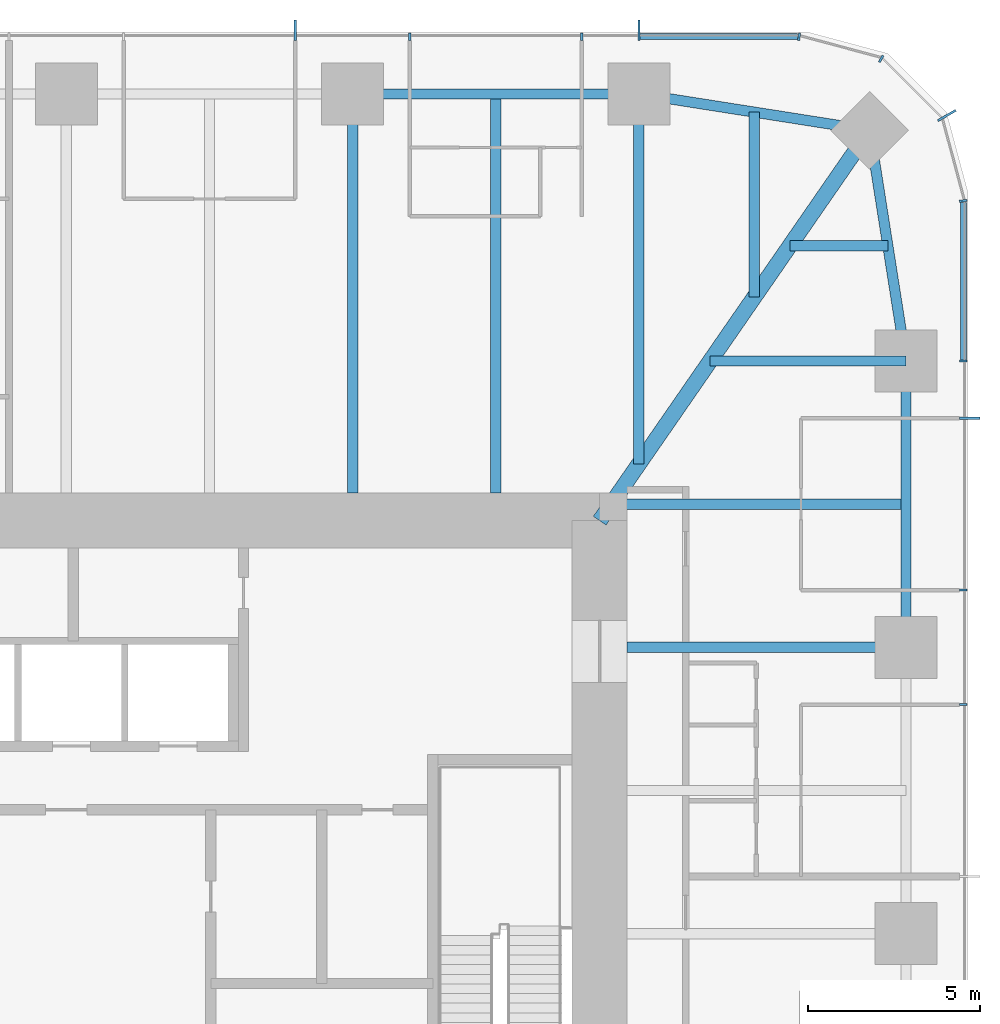
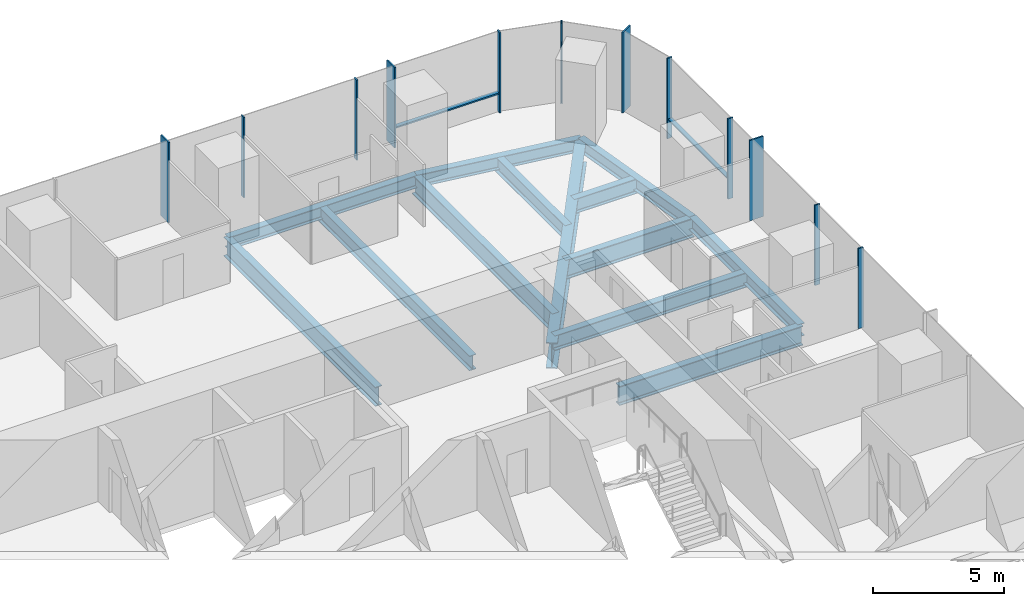
# One storey, part 6 of 12: 14 members, 13 beams, 3 elements without a shape of their own.
"""IFC4 building model written with IfcOpenShell, lengths in metres."""

from ifc_helpers import new_model, si_unit, direction, frame, origin, origin_2d, place, context, subcontext, project, spatial, rectangle, i_section, extrude, material, material_profile, profile_set, type_object, element, aggregate, save


model = new_model("IFC4")

# Units and contexts
model_context = context("Model", 3, precision=1e-05, world=origin(), true_north=direction((0.0, 1.0)))
body_context = subcontext(model_context, "Body", "Model", "MODEL_VIEW")
ifc_project = project(units=[si_unit("LENGTHUNIT", "METRE"), si_unit("AREAUNIT", "SQUARE_METRE"), si_unit("VOLUMEUNIT", "CUBIC_METRE"), si_unit("PLANEANGLEUNIT", "RADIAN"), si_unit("MASSUNIT", "GRAM", prefix="KILO")], contexts=[model_context])

# Site, building, storey
site_placement = place(None, origin())
site = spatial("IfcSite", under=ifc_project, at=site_placement, CompositionType="ELEMENT")
building_placement = place(site_placement, origin())
building = spatial("IfcBuilding", under=site, at=building_placement, Name="Khuree Lantern Residences", CompositionType="ELEMENT")
storey_placement = place(building_placement, frame((0.0, 0.0, 229.5)))
storey = spatial("IfcBuildingStorey", under=building, at=storey_placement, Name="L57", CompositionType="ELEMENT", Elevation=229.5)

# Beams
ifc_material_1 = material(Name="Steel S355", Category="steel")
ifc_material_profile_1 = material_profile(ifc_material_1, i_section(OverallWidth=0.300048828125, OverallDepth=0.68994140625, WebThickness=0.014404296875, FlangeThickness=0.027099609375, FilletRadius=0.027099609375, at=origin_2d()), Name="HE 700 A")
ifc_profile_set_1 = profile_set([ifc_material_profile_1], Name="Steel S355")
beam_type_1 = type_object("IfcBeamType", Name="B-33 SECONDARY BEAM HE 700 A", PredefinedType="BEAM", material=ifc_profile_set_1)
beam_1_placement = place(storey_placement, frame((12.47998046875, 24.39990234375, -0.594970703125), z_axis=(0.0, -1.0, 0.0), x_axis=(1.0, 0.0, 0.0)))
element("IfcBeam", 1, at=beam_1_placement, inside=storey, type_object=beam_type_1, Name="Secondary beam N4", PredefinedType="BEAM", context=body_context, shape_type="SweptSolid", body=[
    extrude(i_section(OverallWidth=0.300048828125, OverallDepth=0.68994140625, WebThickness=0.014404296875, FlangeThickness=0.027099609375, FilletRadius=0.027099609375, at=origin_2d()), origin(), (0.0, 0.0, 1.0), 11.599853515625),
])
beam_2_placement = place(storey_placement, frame((19.992919921875, 23.872802734375, -0.594970703125), z_axis=(0.0, -1.0, 0.0), x_axis=(1.0, 0.0, 0.0)))
element("IfcBeam", 2, at=beam_2_placement, inside=storey, type_object=beam_type_1, Name="Secondary beam N5", PredefinedType="BEAM", context=body_context, shape_type="SweptSolid", body=[
    extrude(i_section(OverallWidth=0.300048828125, OverallDepth=0.68994140625, WebThickness=0.014404296875, FlangeThickness=0.027099609375, FilletRadius=0.027099609375, at=origin_2d()), origin(), (0.0, 0.0, 1.0), 5.375732421875),
])
beam_3_placement = place(storey_placement, frame((23.872802734375, 19.992919921875, -0.594970703125), z_axis=(-1.0, 0.0, 0.0), x_axis=(0.0, -1.0, 0.0)))
element("IfcBeam", 3, at=beam_3_placement, inside=storey, type_object=beam_type_1, Name="Secondary beam E1", PredefinedType="BEAM", context=body_context, shape_type="SweptSolid", body=[
    extrude(i_section(OverallWidth=0.300048828125, OverallDepth=0.68994140625, WebThickness=0.014404296875, FlangeThickness=0.027099609375, FilletRadius=0.027099609375, at=origin_2d()), origin(), (0.0, 0.0, 1.0), 2.845703125),
])
beam_4_placement = place(storey_placement, frame((24.39990234375, 12.47998046875, -0.594970703125), z_axis=(-1.0, 0.0, 0.0), x_axis=(0.0, -1.0, 0.0)))
element("IfcBeam", 4, at=beam_4_placement, inside=storey, type_object=beam_type_1, Name="Secondary beam E2", PredefinedType="BEAM", context=body_context, shape_type="SweptSolid", body=[
    extrude(i_section(OverallWidth=0.300048828125, OverallDepth=0.68994140625, WebThickness=0.014404296875, FlangeThickness=0.027099609375, FilletRadius=0.027099609375, at=origin_2d()), origin(), (0.0, 0.0, 1.0), 8.56787109375),
])
ifc_material_profile_2 = material_profile(ifc_material_1, i_section(OverallWidth=0.300048828125, OverallDepth=0.590087890625, WebThickness=0.012939453125, FlangeThickness=0.02490234375, FilletRadius=0.027099609375, at=origin_2d()), Name="HE 600 A")
ifc_profile_set_2 = profile_set([ifc_material_profile_2], Name="Steel S355")
beam_type_2 = type_object("IfcBeamType", Name="E-33 SPANDREL BEAM HE 600 A", PredefinedType="SPANDREL", material=ifc_profile_set_2)
beam_5_placement = place(storey_placement, frame((8.320068359375, 24.39990234375, -0.544921875), z_axis=(1.0, 0.0, 0.0), x_axis=(0.0, 1.0, 0.0)))
element("IfcBeam", 5, at=beam_5_placement, inside=storey, type_object=beam_type_2, Name="Spandrel beam N4", PredefinedType="SPANDREL", context=body_context, shape_type="SweptSolid", body=[
    extrude(i_section(OverallWidth=0.300048828125, OverallDepth=0.590087890625, WebThickness=0.012939453125, FlangeThickness=0.02490234375, FilletRadius=0.027099609375, at=origin_2d()), origin(), (0.0, 0.0, 1.0), 8.31982421875),
])
for number, where, z_axis, x_axis, name in (
    (6, (16.639892578125, 24.39990234375, -0.544921875), (0.98786743189, -0.155299507442, 0.0), (0.155299507442, 0.98786743189, 0.0), "Spandrel beam N5"),
    (7, (23.345703125, 23.345703125, -0.544921875), (0.155299507442, -0.98786743189, 0.0), (0.98786743189, 0.155299507442, 0.0), "Spandrel beam E1"),
):
    element("IfcBeam", number, at=place(storey_placement, frame(where, z_axis=z_axis, x_axis=x_axis)), inside=storey, type_object=beam_type_2, Name=name, PredefinedType="SPANDREL", context=body_context, shape_type="SweptSolid", body=[
        extrude(i_section(OverallWidth=0.300048828125, OverallDepth=0.590087890625, WebThickness=0.012939453125, FlangeThickness=0.02490234375, FilletRadius=0.027099609375, at=origin_2d()), origin(), (0.0, 0.0, 1.0), 6.7880859375),
    ])
beam_6_placement = place(storey_placement, frame((24.39990234375, 16.639892578125, -0.544921875), z_axis=(0.0, -1.0, 0.0), x_axis=(1.0, 0.0, 0.0)))
element("IfcBeam", 8, at=beam_6_placement, inside=storey, type_object=beam_type_2, Name="Spandrel beam E2", PredefinedType="SPANDREL", context=body_context, shape_type="SweptSolid", body=[
    extrude(i_section(OverallWidth=0.300048828125, OverallDepth=0.590087890625, WebThickness=0.012939453125, FlangeThickness=0.02490234375, FilletRadius=0.027099609375, at=origin_2d()), origin(), (0.0, 0.0, 1.0), 8.31982421875),
])

# Curtain wall, member
ifc_material_2 = material(Name="Bronze anodised aluminium", Category="aluminium")
curtain_wall_type_1 = type_object("IfcCurtainWallType", Name="CW-T1 TOWER FACE CURTAIN WALL", PredefinedType="USERDEFINED", material=ifc_material_2)
curtain_wall_1_placement = place(storey_placement, origin())
curtain_wall_1 = element("IfcCurtainWall", 9, at=curtain_wall_1_placement, inside=storey, type_object=curtain_wall_type_1, Name="L57 EAST FACE CURTAIN WALL", ObjectType="Stick-built curtain wall", PredefinedType="USERDEFINED")
ifc_material_profile_3 = material_profile(ifc_material_2, rectangle(XDim=0.06494140625, YDim=0.60009765625, at=origin_2d()), Name="F1 65X600")
ifc_profile_set_3 = profile_set([ifc_material_profile_3], Name="Bronze anodised aluminium")
member_type_1 = type_object("IfcMemberType", Name="F1 BRONZE FIN MULLION TOWER 65X600", PredefinedType="MULLION", material=ifc_profile_set_3)
member_1_placement = place(storey_placement, frame((26.25, 14.97607421875, 0.0), z_axis=(0.0, 0.0, 1.0), x_axis=(0.0, 1.0, 0.0)))
member_1 = element("IfcMember", 10, at=member_1_placement, type_object=member_type_1, Name="L57 EAST FACE FIN MULLION 13", PredefinedType="MULLION", context=body_context, shape_type="SweptSolid", body=[
    extrude(rectangle(XDim=0.06494140625, YDim=0.60009765625, at=origin_2d()), origin(), (0.0, 0.0, 1.0), 3.75),
])

curtain_wall_type_2 = type_object("IfcCurtainWallType", Name="CW-T2 TOWER CORNER CURTAIN WALL", PredefinedType="USERDEFINED", material=ifc_material_2)
curtain_wall_2_placement = place(storey_placement, origin())
curtain_wall_2 = element("IfcCurtainWall", 11, at=curtain_wall_2_placement, inside=storey, type_object=curtain_wall_type_2, Name="L57 NORTH-EAST CORNER CURTAIN WALL", ObjectType="Faceted corner curtain wall", PredefinedType="USERDEFINED")
member_2_placement = place(storey_placement, frame((25.5869140625, 23.77490234375, 0.0), z_axis=(0.0, 0.0, 1.0), x_axis=(-0.499999989586, 0.866025409797, 0.0)))
member_2 = element("IfcMember", 12, at=member_2_placement, type_object=member_type_1, Name="L57 NORTH-EAST CORNER FIN MULLION 16", PredefinedType="MULLION", context=body_context, shape_type="SweptSolid", body=[
    extrude(rectangle(XDim=0.06494140625, YDim=0.60009765625, at=origin_2d()), origin(), (0.0, 0.0, 1.0), 3.75),
])

# Curtain wall, members
curtain_wall_3_placement = place(storey_placement, origin())
curtain_wall_3 = element("IfcCurtainWall", 13, at=curtain_wall_3_placement, inside=storey, type_object=curtain_wall_type_1, Name="L57 NORTH FACE CURTAIN WALL", ObjectType="Stick-built curtain wall", PredefinedType="USERDEFINED")
member_3_placement = place(storey_placement, frame((16.639892578125, 26.25, 0.0), z_axis=(0.0, 0.0, 1.0), x_axis=(-1.0, 0.0, 0.0)))
member_3 = element("IfcMember", 14, at=member_3_placement, type_object=member_type_1, Name="L57 NORTH FACE FIN MULLION 19", PredefinedType="MULLION", context=body_context, shape_type="SweptSolid", body=[
    extrude(rectangle(XDim=0.06494140625, YDim=0.60009765625, at=origin_2d()), origin(), (0.0, 0.0, 1.0), 3.75),
])
member_4_placement = place(storey_placement, frame((6.656005859375, 26.25, 0.0), z_axis=(0.0, 0.0, 1.0), x_axis=(-1.0, 0.0, 0.0)))
member_4 = element("IfcMember", 15, at=member_4_placement, type_object=member_type_1, Name="L57 NORTH FACE FIN MULLION 22", PredefinedType="MULLION", context=body_context, shape_type="SweptSolid", body=[
    extrude(rectangle(XDim=0.06494140625, YDim=0.60009765625, at=origin_2d()), origin(), (0.0, 0.0, 1.0), 3.75),
])

# Beams
ifc_material_profile_4 = material_profile(ifc_material_1, i_section(OverallWidth=0.300048828125, OverallDepth=0.89990234375, WebThickness=0.0185546875, FlangeThickness=0.034912109375, FilletRadius=0.030029296875, at=origin_2d()), Name="HE 900 B")
ifc_profile_set_4 = profile_set([ifc_material_profile_4], Name="Steel S355")
beam_type_3 = type_object("IfcBeamType", Name="G-33 GIRDER HE 900 B", PredefinedType="BEAM", material=ifc_profile_set_4)
beam_7_placement = place(storey_placement, frame((8.320068359375, 24.39990234375, -0.699951171875), z_axis=(0.0, -1.0, 0.0), x_axis=(1.0, 0.0, 0.0)))
element("IfcBeam", 16, at=beam_7_placement, inside=storey, type_object=beam_type_3, Name="Girder N4", PredefinedType="BEAM", context=body_context, shape_type="SweptSolid", body=[
    extrude(i_section(OverallWidth=0.300048828125, OverallDepth=0.89990234375, WebThickness=0.0185546875, FlangeThickness=0.034912109375, FilletRadius=0.030029296875, at=origin_2d()), origin(), (0.0, 0.0, 1.0), 11.599853515625),
])
beam_8_placement = place(storey_placement, frame((16.639892578125, 24.39990234375, -0.699951171875), z_axis=(0.0, -1.0, 0.0), x_axis=(1.0, 0.0, 0.0)))
element("IfcBeam", 17, at=beam_8_placement, inside=storey, type_object=beam_type_3, Name="Girder N5", PredefinedType="BEAM", context=body_context, shape_type="SweptSolid", body=[
    extrude(i_section(OverallWidth=0.300048828125, OverallDepth=0.89990234375, WebThickness=0.0185546875, FlangeThickness=0.034912109375, FilletRadius=0.030029296875, at=origin_2d()), origin(), (0.0, 0.0, 1.0), 10.751220703125),
])
beam_9_placement = place(storey_placement, frame((24.39990234375, 16.639892578125, -0.699951171875), z_axis=(-1.0, 0.0, 0.0), x_axis=(0.0, -1.0, 0.0)))
element("IfcBeam", 18, at=beam_9_placement, inside=storey, type_object=beam_type_3, Name="Girder E1", PredefinedType="BEAM", context=body_context, shape_type="SweptSolid", body=[
    extrude(i_section(OverallWidth=0.300048828125, OverallDepth=0.89990234375, WebThickness=0.0185546875, FlangeThickness=0.034912109375, FilletRadius=0.030029296875, at=origin_2d()), origin(), (0.0, 0.0, 1.0), 5.69140625),
])
beam_10_placement = place(storey_placement, frame((24.39990234375, 8.320068359375, -0.699951171875), z_axis=(-1.0, 0.0, 0.0), x_axis=(0.0, -1.0, 0.0)))
element("IfcBeam", 19, at=beam_10_placement, inside=storey, type_object=beam_type_3, Name="Girder E2", PredefinedType="BEAM", context=body_context, shape_type="SweptSolid", body=[
    extrude(i_section(OverallWidth=0.300048828125, OverallDepth=0.89990234375, WebThickness=0.0185546875, FlangeThickness=0.034912109375, FilletRadius=0.030029296875, at=origin_2d()), origin(), (0.0, 0.0, 1.0), 8.099853515625),
])
ifc_material_profile_5 = material_profile(ifc_material_1, i_section(OverallWidth=0.449951171875, OverallDepth=1.199951171875, WebThickness=0.02490234375, FlangeThickness=0.044921875, at=origin_2d()), Name="WELDED I 1200X450X25X45")
ifc_profile_set_5 = profile_set([ifc_material_profile_5], Name="Steel S355")
beam_type_4 = type_object("IfcBeamType", Name="GD-33 CORNER GIRDER WELDED I 1200X450X25X45", PredefinedType="BEAM", material=ifc_profile_set_5)
beam_11_placement = place(storey_placement, frame((23.345703125, 23.345703125, -0.85009765625), z_axis=(-0.56876813501, -0.822497907959, 0.0), x_axis=(0.822497907959, -0.56876813501, 0.0)))
element("IfcBeam", 20, at=beam_11_placement, inside=storey, type_object=beam_type_4, Name="Corner girder NE", PredefinedType="BEAM", context=body_context, shape_type="SweptSolid", body=[
    extrude(i_section(OverallWidth=0.449951171875, OverallDepth=1.199951171875, WebThickness=0.02490234375, FlangeThickness=0.044921875, at=origin_2d()), origin(), (0.0, 0.0, 1.0), 13.794189453125),
])

# Member
ifc_material_profile_6 = material_profile(ifc_material_2, rectangle(XDim=0.06494140625, YDim=0.219970703125, at=origin_2d()), Name="M1 65X220")
ifc_profile_set_6 = profile_set([ifc_material_profile_6], Name="Bronze anodised aluminium")
member_type_2 = type_object("IfcMemberType", Name="M1 BRONZE MULLION TOWER 65X220", PredefinedType="MULLION", material=ifc_profile_set_6)
member_5_placement = place(storey_placement, frame((26.06005859375, 6.656005859375, 0.0), z_axis=(0.0, 0.0, 1.0), x_axis=(0.0, 1.0, 0.0)))
member_5 = element("IfcMember", 21, at=member_5_placement, type_object=member_type_2, Name="L57 EAST FACE MULLION 11", PredefinedType="MULLION", context=body_context, shape_type="SweptSolid", body=[
    extrude(rectangle(XDim=0.06494140625, YDim=0.219970703125, at=origin_2d()), origin(), (0.0, 0.0, 1.0), 3.75),
])

member_6_placement = place(storey_placement, frame((26.06005859375, 9.98388671875, 0.0), z_axis=(0.0, 0.0, 1.0), x_axis=(0.0, 1.0, 0.0)))
member_6 = element("IfcMember", 22, at=member_6_placement, type_object=member_type_2, Name="L57 EAST FACE MULLION 12", PredefinedType="MULLION", context=body_context, shape_type="SweptSolid", body=[
    extrude(rectangle(XDim=0.06494140625, YDim=0.219970703125, at=origin_2d()), origin(), (0.0, 0.0, 1.0), 3.75),
])

member_7_placement = place(storey_placement, frame((26.06005859375, 16.639892578125, 0.0), z_axis=(0.0, 0.0, 1.0), x_axis=(0.0, 1.0, 0.0)))
member_7 = element("IfcMember", 23, at=member_7_placement, type_object=member_type_2, Name="L57 EAST FACE MULLION 14", PredefinedType="MULLION", context=body_context, shape_type="SweptSolid", body=[
    extrude(rectangle(XDim=0.06494140625, YDim=0.219970703125, at=origin_2d()), origin(), (0.0, 0.0, 1.0), 3.75),
])

member_8_placement = place(storey_placement, frame((26.061767578125, 21.294921875, 0.0), z_axis=(0.0, 0.0, 1.0), x_axis=(-0.130526180298, 0.991444862943, 0.0)))
member_8 = element("IfcMember", 24, at=member_8_placement, type_object=member_type_2, Name="L57 NORTH-EAST CORNER MULLION 15", PredefinedType="MULLION", context=body_context, shape_type="SweptSolid", body=[
    extrude(rectangle(XDim=0.06494140625, YDim=0.219970703125, at=origin_2d()), origin(), (0.0, 0.0, 1.0), 3.75),
])

member_9_placement = place(storey_placement, frame((23.679931640625, 25.42236328125, 0.0), z_axis=(0.0, 0.0, 1.0), x_axis=(-0.866025409797, 0.499999989586, 0.0)))
member_9 = element("IfcMember", 25, at=member_9_placement, type_object=member_type_2, Name="L57 NORTH-EAST CORNER MULLION 17", PredefinedType="MULLION", context=body_context, shape_type="SweptSolid", body=[
    extrude(rectangle(XDim=0.06494140625, YDim=0.219970703125, at=origin_2d()), origin(), (0.0, 0.0, 1.0), 3.75),
])

aggregate(curtain_wall_2, [member_8, member_2, member_9])

member_10_placement = place(storey_placement, frame((21.294921875, 26.061767578125, 0.0), z_axis=(0.0, 0.0, 1.0), x_axis=(-0.991444862943, 0.130526180298, 0.0)))
member_10 = element("IfcMember", 26, at=member_10_placement, type_object=member_type_2, Name="L57 NORTH FACE MULLION 18", PredefinedType="MULLION", context=body_context, shape_type="SweptSolid", body=[
    extrude(rectangle(XDim=0.06494140625, YDim=0.219970703125, at=origin_2d()), origin(), (0.0, 0.0, 1.0), 3.75),
])

member_11_placement = place(storey_placement, frame((14.97607421875, 26.06005859375, 0.0), z_axis=(0.0, 0.0, 1.0), x_axis=(-1.0, 0.0, 0.0)))
member_11 = element("IfcMember", 27, at=member_11_placement, type_object=member_type_2, Name="L57 NORTH FACE MULLION 20", PredefinedType="MULLION", context=body_context, shape_type="SweptSolid", body=[
    extrude(rectangle(XDim=0.06494140625, YDim=0.219970703125, at=origin_2d()), origin(), (0.0, 0.0, 1.0), 3.75),
])

member_12_placement = place(storey_placement, frame((9.98388671875, 26.06005859375, 0.0), z_axis=(0.0, 0.0, 1.0), x_axis=(-1.0, 0.0, 0.0)))
member_12 = element("IfcMember", 28, at=member_12_placement, type_object=member_type_2, Name="L57 NORTH FACE MULLION 21", PredefinedType="MULLION", context=body_context, shape_type="SweptSolid", body=[
    extrude(rectangle(XDim=0.06494140625, YDim=0.219970703125, at=origin_2d()), origin(), (0.0, 0.0, 1.0), 3.75),
])

ifc_material_profile_7 = material_profile(ifc_material_2, rectangle(XDim=0.179931640625, YDim=0.06494140625, at=origin_2d()), Name="T1 180X65")
ifc_profile_set_7 = profile_set([ifc_material_profile_7], Name="Bronze anodised aluminium")
member_type_3 = type_object("IfcMemberType", Name="TRANSOM T1 TOWER 180X65", PredefinedType="USERDEFINED", material=ifc_profile_set_7)
member_13_placement = place(storey_placement, frame((26.070068359375, 16.672607421875, 0.89990234375), z_axis=(0.0, 1.0, 0.0), x_axis=(-1.0, 0.0, 0.0)))
member_13 = element("IfcMember", 29, at=member_13_placement, type_object=member_type_3, Name="L57 EAST FACE TRANSOM 14.1", ObjectType="Transom", PredefinedType="USERDEFINED", context=body_context, shape_type="SweptSolid", body=[
    extrude(rectangle(XDim=0.179931640625, YDim=0.06494140625, at=origin_2d()), origin(), (0.0, 0.0, 1.0), 4.578857421875),
])

aggregate(curtain_wall_1, [member_5, member_6, member_1, member_7, member_13])

member_14_placement = place(storey_placement, frame((21.25146484375, 26.070068359375, 0.89990234375), z_axis=(-1.0, 0.0, 0.0), x_axis=(0.0, -1.0, 0.0)))
member_14 = element("IfcMember", 30, at=member_14_placement, type_object=member_type_3, Name="L57 NORTH FACE TRANSOM 18.1", ObjectType="Transom", PredefinedType="USERDEFINED", context=body_context, shape_type="SweptSolid", body=[
    extrude(rectangle(XDim=0.179931640625, YDim=0.06494140625, at=origin_2d()), origin(), (0.0, 0.0, 1.0), 4.578857421875),
])

aggregate(curtain_wall_3, [member_10, member_3, member_11, member_12, member_4, member_14])

save(model, "model.ifc")
